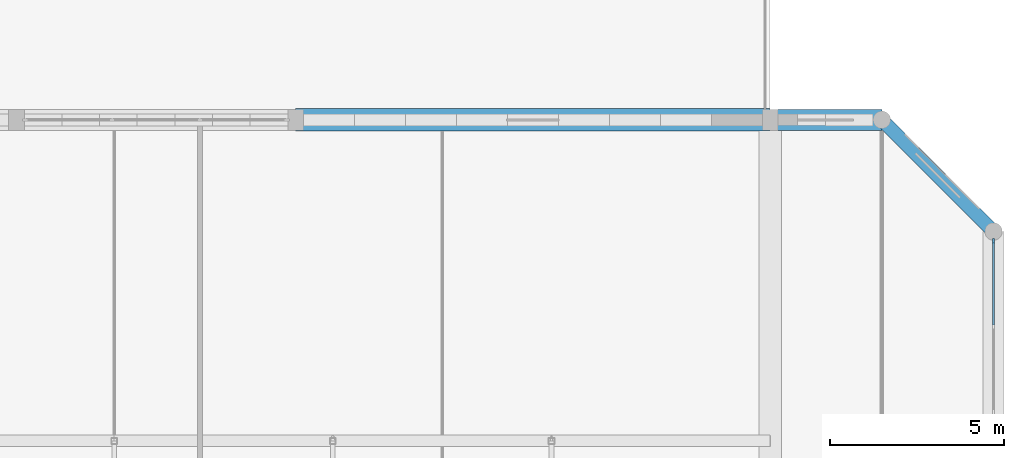
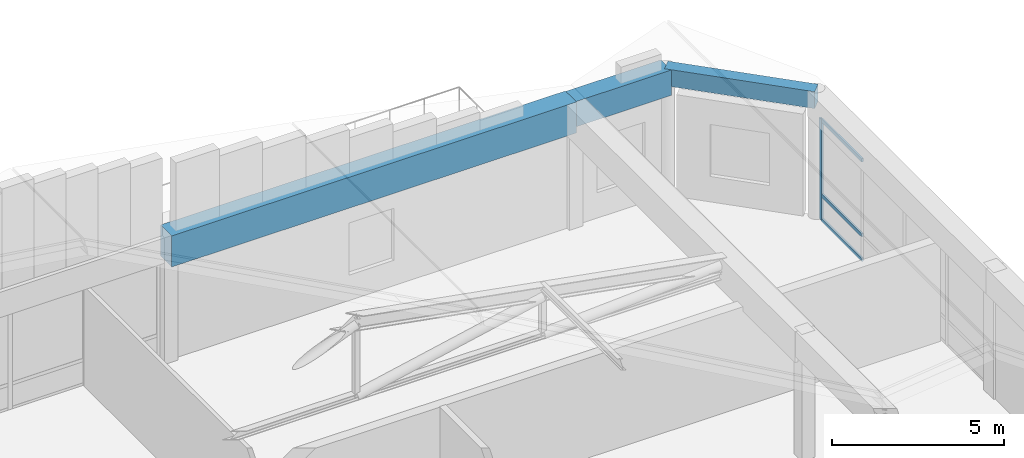
# One storey, part 17 of 24: 4 members, 3 beams, 1 element without a shape of its own.
"""IFC4 building model written with IfcOpenShell, lengths in metres."""

from ifc_helpers import new_model, si_unit, direction, frame, origin, origin_2d, place, context, subcontext, project, spatial, rectangle, extrude, material, material_profile, profile_set, type_object, element, aggregate, save


model = new_model("IFC4")

# Units and contexts
model_context = context("Model", 3, precision=1e-05, world=origin(), true_north=direction((0.0, 1.0)))
body_context = subcontext(model_context, "Body", "Model", "MODEL_VIEW")
ifc_project = project(units=[si_unit("LENGTHUNIT", "METRE"), si_unit("AREAUNIT", "SQUARE_METRE"), si_unit("VOLUMEUNIT", "CUBIC_METRE"), si_unit("PLANEANGLEUNIT", "RADIAN"), si_unit("MASSUNIT", "GRAM", prefix="KILO")], contexts=[model_context])

# Site, building, storey
site_placement = place(None, origin())
site = spatial("IfcSite", under=ifc_project, at=site_placement, CompositionType="ELEMENT")
building_placement = place(site_placement, origin())
building = spatial("IfcBuilding", under=site, at=building_placement, Name="Vellmiral Cinema and Media Centre", CompositionType="ELEMENT")
storey_placement = place(building_placement, frame((0.0, 0.0, 66.60009765625)))
storey = spatial("IfcBuildingStorey", under=building, at=storey_placement, Name="L16", CompositionType="ELEMENT", Elevation=66.60009765625)

# Curtain wall, members
ifc_material_1 = material(Name="Thermally Broken Aluminium and Triple Glazing", Category="aluminium")
curtain_wall_type = type_object("IfcCurtainWallType", Name="CW-TOWER-HIGH", PredefinedType="USERDEFINED", material=ifc_material_1)
curtain_wall_placement = place(storey_placement, origin())
curtain_wall = element("IfcCurtainWall", 1, at=curtain_wall_placement, inside=storey, type_object=curtain_wall_type, Name="Curtain Wall L16-B011", ObjectType="UNITISED CURTAIN WALL", PredefinedType="USERDEFINED")
ifc_material_2 = material(Name="Thermally Broken Anodised Aluminium", Category="aluminium")
ifc_material_profile_1 = material_profile(ifc_material_2, rectangle(XDim=0.06005859375, YDim=0.14990234375, at=origin_2d()), Name="MULL 60x150")
ifc_profile_set_1 = profile_set([ifc_material_profile_1], Name="Thermally Broken Anodised Aluminium")
member_type_1 = type_object("IfcMemberType", Name="CWM-60x150", PredefinedType="MULLION", material=ifc_profile_set_1)
member_1_placement = place(storey_placement, frame((168.0, 105.320068359375, 0.0), z_axis=(0.0, 0.0, 1.0), x_axis=(-1.0, 0.0, 0.0)))
member_1 = element("IfcMember", 2, at=member_1_placement, type_object=member_type_1, Name="CW-09 mullion 5", PredefinedType="MULLION", context=body_context, shape_type="SweptSolid", body=[
    extrude(rectangle(XDim=0.06005859375, YDim=0.14990234375, at=origin_2d()), origin(), (0.0, 0.0, 1.0), 3.58984375),
])
ifc_material_3 = material(Name="Thermally Broken Anodised Aluminium", Category="aluminium")
ifc_material_profile_2 = material_profile(ifc_material_3, rectangle(XDim=0.06005859375, YDim=0.1201171875, at=origin_2d()), Name="MULL 60x120")
ifc_profile_set_2 = profile_set([ifc_material_profile_2], Name="Thermally Broken Anodised Aluminium")
member_type_2 = type_object("IfcMemberType", Name="CWT-60x120", PredefinedType="USERDEFINED", material=ifc_profile_set_2)
member_2_placement = place(storey_placement, frame((168.0, 102.91748046875, 0.02978515625), z_axis=(0.0, 1.0, 0.0), x_axis=(-1.0, 0.0, 0.0)))
member_2 = element("IfcMember", 3, at=member_2_placement, type_object=member_type_2, Name="CW-09 transom 4.1", ObjectType="TRANSOM", PredefinedType="USERDEFINED", context=body_context, shape_type="SweptSolid", body=[
    extrude(rectangle(XDim=0.06005859375, YDim=0.1201171875, at=origin_2d()), origin(), (0.0, 0.0, 1.0), 2.37255859375),
])
member_3_placement = place(storey_placement, frame((168.0, 102.91748046875, 0.89990234375), z_axis=(0.0, 1.0, 0.0), x_axis=(-1.0, 0.0, 0.0)))
member_3 = element("IfcMember", 4, at=member_3_placement, type_object=member_type_2, Name="CW-09 transom 4.2", ObjectType="TRANSOM", PredefinedType="USERDEFINED", context=body_context, shape_type="SweptSolid", body=[
    extrude(rectangle(XDim=0.06005859375, YDim=0.1201171875, at=origin_2d()), origin(), (0.0, 0.0, 1.0), 2.37255859375),
])
member_4_placement = place(storey_placement, frame((168.0, 102.91748046875, 3.559814453125), z_axis=(0.0, 1.0, 0.0), x_axis=(-1.0, 0.0, 0.0)))
member_4 = element("IfcMember", 5, at=member_4_placement, type_object=member_type_2, Name="CW-09 transom 4.3", ObjectType="TRANSOM", PredefinedType="USERDEFINED", context=body_context, shape_type="SweptSolid", body=[
    extrude(rectangle(XDim=0.06005859375, YDim=0.1201171875, at=origin_2d()), origin(), (0.0, 0.0, 1.0), 2.37255859375),
])
aggregate(curtain_wall, [member_1, member_2, member_3, member_4])

# Beams
ifc_material_4 = material(Name="Concrete C40/50", Category="concrete")
ifc_material_profile_3 = material_profile(ifc_material_4, rectangle(XDim=0.60009765625, YDim=0.89990234375, at=origin_2d()), Name="RC 600x900")
ifc_profile_set_3 = profile_set([ifc_material_profile_3], Name="Concrete C40/50")
beam_type_1 = type_object("IfcBeamType", Name="RING-BM-600x900", PredefinedType="BEAM", material=ifc_profile_set_3)
beam_1_placement = place(storey_placement, frame((161.60009765625, 108.800048828125, 4.0498046875), z_axis=(1.0, 0.0, 0.0), x_axis=(0.0, 1.0, 0.0)))
element("IfcBeam", 6, at=beam_1_placement, inside=storey, type_object=beam_type_1, Name="Tower Crown East Gallery Vault Ring Beam 02", PredefinedType="BEAM", context=body_context, shape_type="SweptSolid", body=[
    extrude(rectangle(XDim=0.60009765625, YDim=0.89990234375, at=origin_2d()), origin(), (0.0, 0.0, 1.0), 3.199951171875),
])
ifc_material_5 = material(Name="Concrete C40/50", Category="concrete")
ifc_material_profile_4 = material_profile(ifc_material_5, rectangle(XDim=0.64990234375, YDim=1.10009765625, at=origin_2d()), Name="RC 650x1100")
ifc_profile_set_4 = profile_set([ifc_material_profile_4], Name="Concrete C40/50")
beam_type_2 = type_object("IfcBeamType", Name="RING-BMG-650x1100", PredefinedType="BEAM", material=ifc_profile_set_4)
beam_2_placement = place(storey_placement, frame((148.0, 108.800048828125, 3.949951171875), z_axis=(1.0, 0.0, 0.0), x_axis=(0.0, 1.0, 0.0)))
element("IfcBeam", 7, at=beam_2_placement, inside=storey, type_object=beam_type_2, Name="Tower Crown Catalan Barrel Vault Ring Beam 08", PredefinedType="BEAM", context=body_context, shape_type="SweptSolid", body=[
    extrude(rectangle(XDim=0.64990234375, YDim=1.10009765625, at=origin_2d()), origin(), (0.0, 0.0, 1.0), 13.60009765625),
])
ifc_material_6 = material(Name="Concrete C40/50", Category="concrete")
ifc_material_profile_5 = material_profile(ifc_material_6, rectangle(XDim=0.39990234375, YDim=0.60009765625, at=origin_2d()), Name="RC 400x600")
ifc_profile_set_5 = profile_set([ifc_material_profile_5], Name="Concrete C40/50")
beam_type_3 = type_object("IfcBeamType", Name="SPD-RC-400x600", PredefinedType="SPANDREL", material=ifc_profile_set_5)
beam_3_placement = place(storey_placement, frame((164.800048828125, 108.800048828125, 4.199951171875), z_axis=(0.707106781187, -0.707106781187, 0.0), x_axis=(0.707106781187, 0.707106781187, 0.0)))
element("IfcBeam", 8, at=beam_3_placement, inside=storey, type_object=beam_type_3, Name="Xamfra Chamfer Spandrel Beam L16-002", PredefinedType="SPANDREL", context=body_context, shape_type="SweptSolid", body=[
    extrude(rectangle(XDim=0.39990234375, YDim=0.60009765625, at=origin_2d()), origin(), (0.0, 0.0, 1.0), 4.525390625),
])

save(model, "model.ifc")
